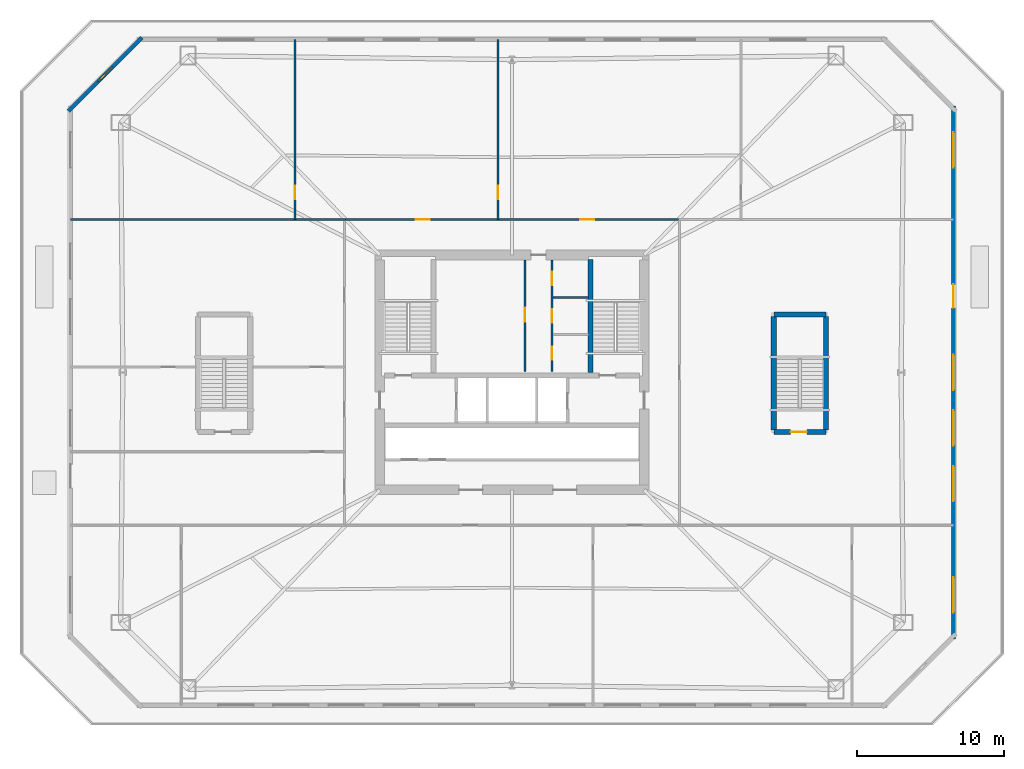
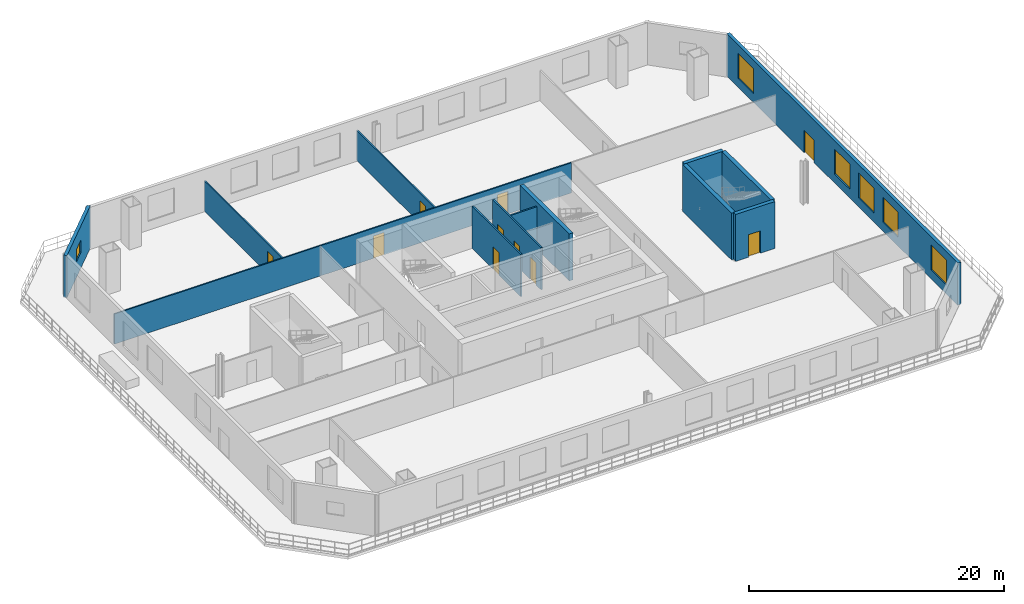
# One storey, part 4 of 8: 14 walls, 10 doors, 6 windows, 16 openings.
"""IFC4 building model written with IfcOpenShell, lengths in metres."""

import ifcopenshell
import ifcopenshell.guid

model = None  # the IFC model being written
_history = None  # IfcOwnerHistory: only IFC2X3 demands one
_inside = {}  # id of a spatial element -> (the spatial element, [elements in it])
_under = {}  # id of a project, library or spatial element -> (it, [spatial elements below it])
_declared = {}  # id of a project -> (the project, [libraries it declares])
_typed = {}  # id of a type object -> (the type object, [elements of that type])
_made_of = {}  # id of a material, layer set ... -> (it, [elements and type objects made of it])


def new_model(schema):
    """Start an empty IFC model of exactly this schema.

    Asked for "IFC4X3", IfcOpenShell would pick the latest addendum, in which some entities
    have other attributes; the version numbers below select the first issue.
    IFC2X3 requires an IfcOwnerHistory on every rooted entity: one is made here for all.
    """
    global model, _history
    if schema == "IFC4X3":
        model = ifcopenshell.file(schema_version=(4, 3, 0, 0))
    else:
        model = ifcopenshell.file(schema=schema)
    _inside.clear()
    _under.clear()
    _declared.clear()
    _typed.clear()
    _made_of.clear()
    _history = None
    if model.schema == "IFC2X3":
        org = make("IfcOrganization", Name="unknown")
        user = make(
            "IfcPersonAndOrganization",
            ThePerson=make("IfcPerson", FamilyName="unknown"),
            TheOrganization=org,
        )
        app = make(
            "IfcApplication",
            ApplicationDeveloper=org,
            Version="unknown",
            ApplicationFullName="unknown",
            ApplicationIdentifier="unknown",
        )
        _history = make(
            "IfcOwnerHistory",
            OwningUser=user,
            OwningApplication=app,
            ChangeAction="ADDED",
            CreationDate=0,
        )
    return model


def make(cls, **values):
    """One entity of the class cls with the attributes given. An attribute that is None is left unset."""
    return model.create_entity(
        cls, **{name: value for name, value in values.items() if value is not None}
    )


def rooted(cls, **values):
    """An entity with a GlobalId (a new one), such as an element, a storey or a relation."""
    return make(cls, GlobalId=ifcopenshell.guid.new(), OwnerHistory=_history, **values)


def si_unit(unit_type, name, prefix=None):
    """IfcSIUnit, for example si_unit("LENGTHUNIT", "METRE", prefix="MILLI")."""
    return make("IfcSIUnit", UnitType=unit_type, Prefix=prefix, Name=name)


def assignment(units):
    """IfcUnitAssignment: the units of a project."""
    return None if units is None else make("IfcUnitAssignment", Units=units)


def point(xyz):
    """IfcCartesianPoint."""
    return None if xyz is None else make("IfcCartesianPoint", Coordinates=xyz)


def direction(xyz):
    """IfcDirection."""
    return None if xyz is None else make("IfcDirection", DirectionRatios=xyz)


def frame(location, z_axis=None, x_axis=None):
    """IfcAxis2Placement3D, a coordinate frame: its origin and axes. An axis left out is left unset."""
    return make(
        "IfcAxis2Placement3D",
        Location=point(location),
        Axis=direction(z_axis),
        RefDirection=direction(x_axis),
    )


def frame_2d(location, x_axis=None):
    """IfcAxis2Placement2D, a coordinate frame in the plane: its origin and x axis."""
    return make(
        "IfcAxis2Placement2D", Location=point(location), RefDirection=direction(x_axis)
    )


def origin():
    """The frame at (0, 0, 0) with its axes left unset."""
    return frame((0.0, 0.0, 0.0))


def place(relative_to, where):
    """IfcLocalPlacement: puts the frame where relative to a parent placement (None: the world)."""
    return make(
        "IfcLocalPlacement", PlacementRelTo=relative_to, RelativePlacement=where
    )


def context(
    kind, dimensions, precision=None, world=None, true_north=None, identifier=None
):
    """IfcGeometricRepresentationContext, for example the 3D "Model" context."""
    return make(
        "IfcGeometricRepresentationContext",
        ContextIdentifier=identifier,
        ContextType=kind,
        CoordinateSpaceDimension=dimensions,
        Precision=precision,
        WorldCoordinateSystem=world,
        TrueNorth=true_north,
    )


def subcontext(parent, identifier, kind, view, scale=None):
    """IfcGeometricRepresentationSubContext, for example "Body" below "Model"."""
    return make(
        "IfcGeometricRepresentationSubContext",
        ContextIdentifier=identifier,
        ContextType=kind,
        ParentContext=parent,
        TargetScale=scale,
        TargetView=view,
    )


def project(units=None, contexts=None):
    """IfcProject with its units and contexts."""
    return rooted(
        "IfcProject",
        Name="project",
        RepresentationContexts=contexts,
        UnitsInContext=assignment(units),
    )


def spatial(cls, under=None, at=None, **own):
    """A site, building, storey or space (cls), placed at a placement, below another one or the project."""
    s = rooted(cls, ObjectPlacement=at, **own)
    if under is not None:
        _under.setdefault(under.id(), (under, []))[1].append(s)
    return s


def profile(cls, at=None, kind="AREA", **sizes):
    """A parametric profile (cls). Its sizes go by their IFC names, for example OverallWidth=200.0."""
    return make(cls, ProfileType=kind, Position=at, **sizes)


def rectangle(**sizes):
    """IfcRectangleProfileDef."""
    return profile("IfcRectangleProfileDef", **sizes)


def extrude(swept, where, along, depth):
    """IfcExtrudedAreaSolid: the profile swept, set in the frame where, extruded along a direction by depth."""
    return make(
        "IfcExtrudedAreaSolid",
        SweptArea=swept,
        Position=where,
        ExtrudedDirection=direction(along),
        Depth=depth,
    )


def shape(context_of_items, identifier, shape_type, items):
    """IfcShapeRepresentation: the items that make up one representation, for example the "Body"."""
    return make(
        "IfcShapeRepresentation",
        ContextOfItems=context_of_items,
        RepresentationIdentifier=identifier,
        RepresentationType=shape_type,
        Items=items,
    )


def material(Name=None, Category=None):
    """IfcMaterial."""
    return make("IfcMaterial", Name=Name, Category=Category)


def layer(
    of_material, thickness, ventilated=None, Name=None, Category=None, Priority=None
):
    """IfcMaterialLayer: one layer of a wall or slab, of a material (None: an air gap)."""
    return make(
        "IfcMaterialLayer",
        Material=of_material,
        LayerThickness=thickness,
        IsVentilated=ventilated,
        Name=Name,
        Category=Category,
        Priority=Priority,
    )


def layer_set(layers, Name=None):
    """IfcMaterialLayerSet."""
    return make("IfcMaterialLayerSet", MaterialLayers=layers, LayerSetName=Name)


def made_of(thing, what):
    """Note that an element or type object is made of a material, layer set ...; save() writes the relation."""
    if what is not None:
        _made_of.setdefault(what.id(), (what, []))[1].append(thing)
    return thing


def type_object(cls, material=None, **own):
    """A type object (cls), such as IfcWallType, which elements share."""
    return made_of(rooted(cls, **own), material)


def element(
    cls,
    number,
    at=None,
    inside=None,
    cuts=None,
    type_object=None,
    material=None,
    context=None,
    identifier="Body",
    shape_type=None,
    held_by="IfcProductDefinitionShape",
    body=None,
    shapes=None,
    **own,
):
    """One element of the class cls, such as IfcWall. Its Tag is "e" and its number.

    at: its placement. inside: the storey or other place that contains it. cuts: it is an
    opening in that element (IfcRelVoidsElement). A single representation is given by context,
    identifier, shape_type and body (its items); several are given by shapes. held_by: the class
    of the entity that holds the representations. save() writes the other relations.
    """
    e = rooted(cls, Tag="e%d" % number, ObjectPlacement=at, **own)
    if body is not None:
        shapes = [shape(context, identifier, shape_type, body)]
    if shapes is not None:
        e.Representation = make(held_by, Representations=shapes)
    if inside is not None:
        _inside.setdefault(inside.id(), (inside, []))[1].append(e)
    if cuts is not None:
        rooted(
            "IfcRelVoidsElement", RelatingBuildingElement=cuts, RelatedOpeningElement=e
        )
    if type_object is not None:
        _typed.setdefault(type_object.id(), (type_object, []))[1].append(e)
    return made_of(e, material)


def fill(opening, filler):
    """IfcRelFillsElement: the door or window that sits in an opening."""
    return rooted(
        "IfcRelFillsElement",
        RelatingOpeningElement=opening,
        RelatedBuildingElement=filler,
    )


def aggregate(whole, parts):
    """IfcRelAggregates: a whole, such as a stair, and the parts it consists of."""
    return rooted("IfcRelAggregates", RelatingObject=whole, RelatedObjects=parts)


def save(model, path):
    """Write the relations noted so far, then the file.

    IfcRelAggregates (storeys below a building ...), IfcRelContainedInSpatialStructure (elements
    in a storey), IfcRelDefinesByType, IfcRelAssociatesMaterial and IfcRelDeclares: one each for
    every whole, place, type object, material and project.
    """
    for whole, parts in _under.values():
        aggregate(whole, parts)
    for where, things in _inside.values():
        rooted(
            "IfcRelContainedInSpatialStructure",
            RelatedElements=things,
            RelatingStructure=where,
        )
    for kind, things in _typed.values():
        rooted("IfcRelDefinesByType", RelatedObjects=things, RelatingType=kind)
    for what, things in _made_of.values():
        rooted("IfcRelAssociatesMaterial", RelatedObjects=things, RelatingMaterial=what)
    for by, libraries in _declared.values():
        rooted("IfcRelDeclares", RelatingContext=by, RelatedDefinitions=libraries)
    model.write(path)


model = new_model("IFC4")

# Units and contexts
model_context = context("Model", 3, precision=1e-05, world=origin(), true_north=direction((0.0, 1.0)))
body_context = subcontext(model_context, "Body", "Model", "MODEL_VIEW")
ifc_project = project(units=[si_unit("LENGTHUNIT", "METRE"), si_unit("AREAUNIT", "SQUARE_METRE"), si_unit("VOLUMEUNIT", "CUBIC_METRE"), si_unit("PLANEANGLEUNIT", "RADIAN"), si_unit("MASSUNIT", "GRAM", prefix="KILO")], contexts=[model_context])

# Site, building, storey
site_placement = place(None, origin())
site = spatial("IfcSite", under=ifc_project, at=site_placement, CompositionType="ELEMENT")
building_placement = place(site_placement, origin())
building = spatial("IfcBuilding", under=site, at=building_placement, Name="Caelvoria Tower", CompositionType="ELEMENT")
storey_placement = place(building_placement, frame((0.0, 0.0, 18.5)))
storey = spatial("IfcBuildingStorey", under=building, at=storey_placement, Name="L04", CompositionType="ELEMENT", Elevation=18.5)

# Wall
ifc_material_1 = material(Name="Concrete C50/60", Category="concrete")
ifc_layer_1 = layer(ifc_material_1, 0.35009765625, Name="Concrete C50/60")
ifc_layer_set_1 = layer_set([ifc_layer_1], Name="Core Internal Shear Wall 350 - Concrete C50/60")
wall_type_1 = type_object("IfcWallType", Name="Core Internal Shear Wall 350", PredefinedType="SHEAR", material=ifc_layer_set_1)
wall_1_placement = place(storey_placement, frame((51.35009765625, 32.0, 0.0), z_axis=(0.0, 0.0, 1.0), x_axis=(0.0, 1.0, 0.0)))
element("IfcWall", 1, at=wall_1_placement, inside=storey, type_object=wall_type_1, Name="Interior Partition IW-L04-ST2W", PredefinedType="SHEAR", context=body_context, shape_type="SweptSolid", body=[
    extrude(rectangle(XDim=7.699951171875, YDim=0.35009765625, at=frame_2d((3.85009765625, 0.0))), origin(), (0.0, 0.0, 1.0), 4.5),
])

# Wall, opening, door
wall_2_placement = place(storey_placement, frame((63.824951171875, 27.949951171875, 0.0), z_axis=(0.0, 0.0, 1.0), x_axis=(1.0, 0.0, 0.0)))
wall_2 = element("IfcWall", 2, at=wall_2_placement, inside=storey, type_object=wall_type_1, Name="Podium Stair Shear Wall L04 ST4 S", PredefinedType="SHEAR", context=body_context, shape_type="SweptSolid", body=[
    extrude(rectangle(XDim=3.550048828125, YDim=0.35009765625, at=frame_2d((1.77490234375, 0.0))), origin(), (0.0, 0.0, 1.0), 4.5),
])
opening_1_placement = place(wall_2_placement, frame((1.14990234375, 0.0, 0.0)))
opening_1 = element("IfcOpeningElement", 3, at=opening_1_placement, cuts=wall_2, Name="Opening ID-01", PredefinedType="OPENING", context=body_context, shape_type="SweptSolid", body=[
    extrude(rectangle(XDim=1.10009765625, YDim=2.14990234375, at=frame_2d((0.550048828125, 1.074951171875))), frame((0.0, 0.18505859375, 0.0), z_axis=(0.0, -1.0, 0.0), x_axis=(1.0, 0.0, 0.0)), (0.0, 0.0, 1.0), 0.3701171875),
])
ifc_material_2 = material(Name="Painted Hollow Steel Fire Door", Category="steel")
door_type_1 = type_object("IfcDoorType", Name="Fire Door FD90S 1100x2150", OperationType="NOTDEFINED", PredefinedType="DOOR", material=ifc_material_2)
door_1_placement = place(opening_1_placement, origin())
door_1 = element("IfcDoor", 4, at=door_1_placement, inside=storey, type_object=door_type_1, Name="Podium Stair Door L04 ST4", OperationType="SINGLE_SWING_RIGHT", OverallHeight=2.14990234375, OverallWidth=1.10009765625, PredefinedType="DOOR", context=body_context, shape_type="SweptSolid", body=[
    extrude(rectangle(XDim=1.10009765625, YDim=2.14990234375, at=frame_2d((0.550048828125, 1.074951171875))), frame((0.0, 0.02490234375, 0.0), z_axis=(0.0, -1.0, 0.0), x_axis=(1.0, 0.0, 0.0)), (0.0, 0.0, 1.0), 0.050048828125),
])
fill(opening_1, door_1)

# Walls
wall_3_placement = place(storey_placement, frame((63.824951171875, 35.949951171875, 0.0), z_axis=(0.0, 0.0, 1.0), x_axis=(1.0, 0.0, 0.0)))
element("IfcWall", 5, at=wall_3_placement, inside=storey, type_object=wall_type_1, Name="Podium Stair Shear Wall L04 ST4 N", PredefinedType="SHEAR", context=body_context, shape_type="SweptSolid", body=[
    extrude(rectangle(XDim=3.550048828125, YDim=0.35009765625, at=frame_2d((1.77490234375, 0.0))), origin(), (0.0, 0.0, 1.0), 4.5),
])
for number, where, z_axis, x_axis, name in (
    (6, (63.824951171875, 28.10009765625, 0.0), (0.0, 0.0, 1.0), (0.0, 1.0, 0.0), "Podium Stair Shear Wall L04 ST4 W"),
    (7, (67.375, 28.10009765625, 0.0), (0.0, 0.0, 1.0), (0.0, 1.0, 0.0), "Podium Stair Shear Wall L04 ST4 E"),
):
    element("IfcWall", number, at=place(storey_placement, frame(where, z_axis=z_axis, x_axis=x_axis)), inside=storey, type_object=wall_type_1, Name=name, PredefinedType="SHEAR", context=body_context, shape_type="SweptSolid", body=[
        extrude(rectangle(XDim=7.699951171875, YDim=0.35009765625, at=frame_2d((3.85009765625, 0.0))), origin(), (0.0, 0.0, 1.0), 4.5),
    ])

# Wall, opening, door
ifc_material_3 = material(Name="Moisture-Resistant Gypsum on Steel Stud", Category="steel")
ifc_layer_2 = layer(ifc_material_3, 0.139892578125, Name="Moisture-Resistant Gypsum on Steel Stud")
ifc_layer_set_2 = layer_set([ifc_layer_2], Name="Core Sanitary Acoustic Partition Wall 140 - Moisture-Resistant Gypsum on Steel Stud")
wall_type_2 = type_object("IfcWallType", Name="Core Sanitary Acoustic Partition Wall 140", PredefinedType="PARTITIONING", material=ifc_layer_set_2)
wall_4_placement = place(storey_placement, frame((46.8798828125, 32.050048828125, 0.0), z_axis=(0.0, 0.0, 1.0), x_axis=(0.0, 1.0, 0.0)))
wall_4 = element("IfcWall", 8, at=wall_4_placement, inside=storey, type_object=wall_type_2, Name="Interior Partition IW-L04-C2L", PredefinedType="PARTITIONING", context=body_context, shape_type="SweptSolid", body=[
    extrude(rectangle(XDim=7.599853515625, YDim=0.139892578125, at=frame_2d((3.7998046875, 0.0))), origin(), (0.0, 0.0, 1.0), 4.050048828125),
])
opening_2_placement = place(wall_4_placement, frame((3.39990234375, 0.0, 0.0)))
opening_2 = element("IfcOpeningElement", 9, at=opening_2_placement, cuts=wall_4, Name="Opening ID-05", PredefinedType="OPENING", context=body_context, shape_type="SweptSolid", body=[
    extrude(rectangle(XDim=0.949951171875, YDim=2.14990234375, at=frame_2d((0.47509765625, 1.074951171875))), frame((0.0, 0.079833984375, 0.0), z_axis=(0.0, -1.0, 0.0), x_axis=(1.0, 0.0, 0.0)), (0.0, 0.0, 1.0), 0.159912109375),
])
ifc_material_4 = material(Name="Engineered Andean Oak Veneer Door", Category="wood")
door_type_2 = type_object("IfcDoorType", Name="Interior Timber Door 950x2150", OperationType="NOTDEFINED", PredefinedType="DOOR", material=ifc_material_4)
door_2_placement = place(opening_2_placement, origin())
door_2 = element("IfcDoor", 10, at=door_2_placement, inside=storey, type_object=door_type_2, Name="Interior Door DR-L04-C2W", OperationType="SINGLE_SWING_LEFT", OverallHeight=2.14990234375, OverallWidth=0.949951171875, PredefinedType="DOOR", context=body_context, shape_type="SweptSolid", body=[
    extrude(rectangle(XDim=0.949951171875, YDim=2.14990234375, at=frame_2d((0.47509765625, 1.074951171875))), frame((0.0, 0.02490234375, 0.0), z_axis=(0.0, -1.0, 0.0), x_axis=(1.0, 0.0, 0.0)), (0.0, 0.0, 1.0), 0.050048828125),
])
fill(opening_2, door_2)

# Wall, openings, doors
wall_5_placement = place(storey_placement, frame((48.719970703125, 32.050048828125, 0.0), z_axis=(0.0, 0.0, 1.0), x_axis=(0.0, 1.0, 0.0)))
wall_5 = element("IfcWall", 11, at=wall_5_placement, inside=storey, type_object=wall_type_2, Name="Interior Partition IW-L04-C2R", PredefinedType="PARTITIONING", context=body_context, shape_type="SweptSolid", body=[
    extrude(rectangle(XDim=7.599853515625, YDim=0.139892578125, at=frame_2d((3.7998046875, 0.0))), origin(), (0.0, 0.0, 1.0), 4.050048828125),
])
opening_3_placement = place(wall_5_placement, frame((0.800048828125, 0.0, 0.0)))
opening_3 = element("IfcOpeningElement", 12, at=opening_3_placement, cuts=wall_5, Name="Opening ID-04", PredefinedType="OPENING", context=body_context, shape_type="SweptSolid", body=[
    extrude(rectangle(XDim=0.89990234375, YDim=2.14990234375, at=frame_2d((0.449951171875, 1.074951171875))), frame((0.0, 0.079833984375, 0.0), z_axis=(0.0, -1.0, 0.0), x_axis=(1.0, 0.0, 0.0)), (0.0, 0.0, 1.0), 0.159912109375),
])
opening_4_placement = place(wall_5_placement, frame((3.35009765625, 0.0, 0.0)))
opening_4 = element("IfcOpeningElement", 13, at=opening_4_placement, cuts=wall_5, Name="Opening ID-06", PredefinedType="OPENING", context=body_context, shape_type="SweptSolid", body=[
    extrude(rectangle(XDim=0.89990234375, YDim=2.14990234375, at=frame_2d((0.449951171875, 1.074951171875))), frame((0.0, 0.079833984375, 0.0), z_axis=(0.0, -1.0, 0.0), x_axis=(1.0, 0.0, 0.0)), (0.0, 0.0, 1.0), 0.159912109375),
])
opening_5_placement = place(wall_5_placement, frame((5.89990234375, 0.0, 0.0)))
opening_5 = element("IfcOpeningElement", 14, at=opening_5_placement, cuts=wall_5, Name="Opening ID-07", PredefinedType="OPENING", context=body_context, shape_type="SweptSolid", body=[
    extrude(rectangle(XDim=0.919921875, YDim=2.14990234375, at=frame_2d((0.4599609375, 1.074951171875))), frame((0.0, 0.079833984375, 0.0), z_axis=(0.0, -1.0, 0.0), x_axis=(1.0, 0.0, 0.0)), (0.0, 0.0, 1.0), 0.159912109375),
])
ifc_material_5 = material(Name="Engineered Andean Oak Accessible Door", Category="wood")
door_type_3 = type_object("IfcDoorType", Name="Accessible WC Door 950x2150", OperationType="NOTDEFINED", PredefinedType="DOOR", material=ifc_material_5)
door_3_placement = place(opening_5_placement, origin())
door_3 = element("IfcDoor", 15, at=door_3_placement, inside=storey, type_object=door_type_3, Name="Interior Door DR-L04-C2E3", OperationType="SINGLE_SWING_RIGHT", OverallHeight=2.14990234375, OverallWidth=0.919921875, PredefinedType="DOOR", context=body_context, shape_type="SweptSolid", body=[
    extrude(rectangle(XDim=0.919921875, YDim=2.14990234375, at=frame_2d((0.4599609375, 1.074951171875))), frame((0.0, 0.02490234375, 0.0), z_axis=(0.0, -1.0, 0.0), x_axis=(1.0, 0.0, 0.0)), (0.0, 0.0, 1.0), 0.050048828125),
])
fill(opening_5, door_3)
ifc_material_6 = material(Name="Acoustic Timber Fire Door", Category="wood")
door_type_4 = type_object("IfcDoorType", Name="Fire Door FD30S 900x2150", OperationType="NOTDEFINED", PredefinedType="DOOR", material=ifc_material_6)
door_4_placement = place(opening_3_placement, origin())
door_4 = element("IfcDoor", 16, at=door_4_placement, inside=storey, type_object=door_type_4, Name="Interior Door DR-L04-C2E1", OperationType="SINGLE_SWING_RIGHT", OverallHeight=2.14990234375, OverallWidth=0.89990234375, PredefinedType="DOOR", context=body_context, shape_type="SweptSolid", body=[
    extrude(rectangle(XDim=0.89990234375, YDim=2.14990234375, at=frame_2d((0.449951171875, 1.074951171875))), frame((0.0, 0.02490234375, 0.0), z_axis=(0.0, -1.0, 0.0), x_axis=(1.0, 0.0, 0.0)), (0.0, 0.0, 1.0), 0.050048828125),
])
fill(opening_3, door_4)
door_type_5 = type_object("IfcDoorType", Name="Interior Timber Door 900x2150", OperationType="NOTDEFINED", PredefinedType="DOOR", material=ifc_material_4)
door_5_placement = place(opening_4_placement, origin())
door_5 = element("IfcDoor", 17, at=door_5_placement, inside=storey, type_object=door_type_5, Name="Interior Door DR-L04-C2E2", OperationType="SINGLE_SWING_LEFT", OverallHeight=2.14990234375, OverallWidth=0.89990234375, PredefinedType="DOOR", context=body_context, shape_type="SweptSolid", body=[
    extrude(rectangle(XDim=0.89990234375, YDim=2.14990234375, at=frame_2d((0.449951171875, 1.074951171875))), frame((0.0, 0.02490234375, 0.0), z_axis=(0.0, -1.0, 0.0), x_axis=(1.0, 0.0, 0.0)), (0.0, 0.0, 1.0), 0.050048828125),
])
fill(opening_4, door_5)

# Wall
wall_6_placement = place(storey_placement, frame((48.800048828125, 37.1201171875, 0.0), z_axis=(0.0, 0.0, 1.0), x_axis=(1.0, 0.0, 0.0)))
element("IfcWall", 18, at=wall_6_placement, inside=storey, type_object=wall_type_2, Name="Interior Partition IW-L04-C2H2", PredefinedType="PARTITIONING", context=body_context, shape_type="SweptSolid", body=[
    extrude(rectangle(XDim=2.39990234375, YDim=0.139892578125, at=frame_2d((1.199951171875, 0.0))), origin(), (0.0, 0.0, 1.0), 4.050048828125),
])

# Wall, openings, windows, door
ifc_material_7 = material(Name="Precast Concrete C40/50 with Bronze Cladding", Category="concrete")
ifc_layer_3 = layer(ifc_material_7, 0.280029296875, Name="Precast Concrete C40/50 with Bronze Cladding")
ifc_layer_set_3 = layer_set([ifc_layer_3], Name="Exterior Precast Concrete C40/50 Bronze-Clad Facade Wall 280 - Precast Concrete C40/50 with Bronze Cladding")
wall_type_3 = type_object("IfcWallType", Name="Exterior Precast Concrete C40/50 Bronze-Clad Facade Wall 280", PredefinedType="STANDARD", material=ifc_layer_set_3)
wall_7_placement = place(storey_placement, frame((76.06005859375, 13.860107421875, 0.0), z_axis=(0.0, 0.0, 1.0), x_axis=(0.0, 1.0, 0.0)))
wall_7 = element("IfcWall", 19, at=wall_7_placement, inside=storey, type_object=wall_type_3, Name="Exterior Facade Wall L04-E2", PredefinedType="STANDARD", context=body_context, shape_type="SweptSolid", body=[
    extrude(rectangle(XDim=36.27978515625, YDim=0.280029296875, at=frame_2d((18.139892578125, 0.0))), origin(), (0.0, 0.0, 1.0), 4.050048828125),
])
opening_6_placement = place(wall_7_placement, frame((22.5400390625, 0.0, 0.0)))
opening_6 = element("IfcOpeningElement", 20, at=opening_6_placement, cuts=wall_7, Name="Opening ED-03", PredefinedType="OPENING", context=body_context, shape_type="SweptSolid", body=[
    extrude(rectangle(XDim=1.60009765625, YDim=2.14990234375, at=frame_2d((0.800048828125, 1.074951171875))), frame((0.0, 0.14990234375, 0.0), z_axis=(0.0, -1.0, 0.0), x_axis=(1.0, 0.0, 0.0)), (0.0, 0.0, 1.0), 0.300048828125),
])
opening_7_placement = place(wall_7_placement, frame((1.793212890625, 0.0, 0.85009765625)))
opening_7 = element("IfcOpeningElement", 21, at=opening_7_placement, cuts=wall_7, Name="Opening WN-04", PredefinedType="OPENING", context=body_context, shape_type="SweptSolid", body=[
    extrude(rectangle(XDim=2.39990234375, YDim=2.39990234375, at=frame_2d((1.199951171875, 1.199951171875))), frame((0.0, 0.14990234375, 0.0), z_axis=(0.0, -1.0, 0.0), x_axis=(1.0, 0.0, 0.0)), (0.0, 0.0, 1.0), 0.300048828125),
])
opening_8_placement = place(wall_7_placement, frame((9.36669921875, 0.0, 0.85009765625)))
opening_8 = element("IfcOpeningElement", 22, at=opening_8_placement, cuts=wall_7, Name="Opening WN-04", PredefinedType="OPENING", context=body_context, shape_type="SweptSolid", body=[
    extrude(rectangle(XDim=2.39990234375, YDim=2.39990234375, at=frame_2d((1.199951171875, 1.199951171875))), frame((0.0, 0.14990234375, 0.0), z_axis=(0.0, -1.0, 0.0), x_axis=(1.0, 0.0, 0.0)), (0.0, 0.0, 1.0), 0.300048828125),
])
opening_9_placement = place(wall_7_placement, frame((13.1533203125, 0.0, 0.85009765625)))
opening_9 = element("IfcOpeningElement", 23, at=opening_9_placement, cuts=wall_7, Name="Opening WN-04", PredefinedType="OPENING", context=body_context, shape_type="SweptSolid", body=[
    extrude(rectangle(XDim=2.39990234375, YDim=2.39990234375, at=frame_2d((1.199951171875, 1.199951171875))), frame((0.0, 0.14990234375, 0.0), z_axis=(0.0, -1.0, 0.0), x_axis=(1.0, 0.0, 0.0)), (0.0, 0.0, 1.0), 0.300048828125),
])
opening_10_placement = place(wall_7_placement, frame((16.93994140625, 0.0, 0.85009765625)))
opening_10 = element("IfcOpeningElement", 24, at=opening_10_placement, cuts=wall_7, Name="Opening WN-04", PredefinedType="OPENING", context=body_context, shape_type="SweptSolid", body=[
    extrude(rectangle(XDim=2.39990234375, YDim=2.39990234375, at=frame_2d((1.199951171875, 1.199951171875))), frame((0.0, 0.14990234375, 0.0), z_axis=(0.0, -1.0, 0.0), x_axis=(1.0, 0.0, 0.0)), (0.0, 0.0, 1.0), 0.300048828125),
])
opening_11_placement = place(wall_7_placement, frame((32.086669921875, 0.0, 0.85009765625)))
opening_11 = element("IfcOpeningElement", 25, at=opening_11_placement, cuts=wall_7, Name="Opening WN-04", PredefinedType="OPENING", context=body_context, shape_type="SweptSolid", body=[
    extrude(rectangle(XDim=2.39990234375, YDim=2.39990234375, at=frame_2d((1.199951171875, 1.199951171875))), frame((0.0, 0.14990234375, 0.0), z_axis=(0.0, -1.0, 0.0), x_axis=(1.0, 0.0, 0.0)), (0.0, 0.0, 1.0), 0.300048828125),
])
ifc_material_8 = material(Name="Low-E Tinted Glass in Bronze Aluminium Frame", Category="aluminium")
window_type_1 = type_object("IfcWindowType", Name="Podium Commercial Ribbon Window 2400x2400", PartitioningType="SINGLE_PANEL", PredefinedType="WINDOW", material=ifc_material_8)
window_1_placement = place(opening_7_placement, origin())
window_1 = element("IfcWindow", 26, at=window_1_placement, inside=storey, type_object=window_type_1, Name="Facade Window L04-E2-00", OverallHeight=2.39990234375, OverallWidth=2.39990234375, PartitioningType="SINGLE_PANEL", PredefinedType="WINDOW", context=body_context, shape_type="SweptSolid", body=[
    extrude(rectangle(XDim=2.39990234375, YDim=2.39990234375, at=frame_2d((1.199951171875, 1.199951171875))), frame((0.0, 0.030029296875, 0.0), z_axis=(0.0, -1.0, 0.0), x_axis=(1.0, 0.0, 0.0)), (0.0, 0.0, 1.0), 0.06005859375),
])
fill(opening_7, window_1)
window_2_placement = place(opening_8_placement, origin())
window_2 = element("IfcWindow", 27, at=window_2_placement, inside=storey, type_object=window_type_1, Name="Facade Window L04-E2-02", OverallHeight=2.39990234375, OverallWidth=2.39990234375, PartitioningType="SINGLE_PANEL", PredefinedType="WINDOW", context=body_context, shape_type="SweptSolid", body=[
    extrude(rectangle(XDim=2.39990234375, YDim=2.39990234375, at=frame_2d((1.199951171875, 1.199951171875))), frame((0.0, 0.030029296875, 0.0), z_axis=(0.0, -1.0, 0.0), x_axis=(1.0, 0.0, 0.0)), (0.0, 0.0, 1.0), 0.06005859375),
])
fill(opening_8, window_2)
window_3_placement = place(opening_9_placement, origin())
window_3 = element("IfcWindow", 28, at=window_3_placement, inside=storey, type_object=window_type_1, Name="Facade Window L04-E2-03", OverallHeight=2.39990234375, OverallWidth=2.39990234375, PartitioningType="SINGLE_PANEL", PredefinedType="WINDOW", context=body_context, shape_type="SweptSolid", body=[
    extrude(rectangle(XDim=2.39990234375, YDim=2.39990234375, at=frame_2d((1.199951171875, 1.199951171875))), frame((0.0, 0.030029296875, 0.0), z_axis=(0.0, -1.0, 0.0), x_axis=(1.0, 0.0, 0.0)), (0.0, 0.0, 1.0), 0.06005859375),
])
fill(opening_9, window_3)
window_4_placement = place(opening_10_placement, origin())
window_4 = element("IfcWindow", 29, at=window_4_placement, inside=storey, type_object=window_type_1, Name="Facade Window L04-E2-04", OverallHeight=2.39990234375, OverallWidth=2.39990234375, PartitioningType="SINGLE_PANEL", PredefinedType="WINDOW", context=body_context, shape_type="SweptSolid", body=[
    extrude(rectangle(XDim=2.39990234375, YDim=2.39990234375, at=frame_2d((1.199951171875, 1.199951171875))), frame((0.0, 0.030029296875, 0.0), z_axis=(0.0, -1.0, 0.0), x_axis=(1.0, 0.0, 0.0)), (0.0, 0.0, 1.0), 0.06005859375),
])
fill(opening_10, window_4)
window_5_placement = place(opening_11_placement, origin())
window_5 = element("IfcWindow", 30, at=window_5_placement, inside=storey, type_object=window_type_1, Name="Facade Window L04-E2-08", OverallHeight=2.39990234375, OverallWidth=2.39990234375, PartitioningType="SINGLE_PANEL", PredefinedType="WINDOW", context=body_context, shape_type="SweptSolid", body=[
    extrude(rectangle(XDim=2.39990234375, YDim=2.39990234375, at=frame_2d((1.199951171875, 1.199951171875))), frame((0.0, 0.030029296875, 0.0), z_axis=(0.0, -1.0, 0.0), x_axis=(1.0, 0.0, 0.0)), (0.0, 0.0, 1.0), 0.06005859375),
])
fill(opening_11, window_5)
ifc_material_9 = material(Name="Anodised Bronze Aluminium and Laminated Glass", Category="aluminium")
door_type_6 = type_object("IfcDoorType", Name="Terrace Garden Double Glazed Door 1600x2150", OperationType="NOTDEFINED", PredefinedType="DOOR", material=ifc_material_9)
door_6_placement = place(opening_6_placement, origin())
door_6 = element("IfcDoor", 31, at=door_6_placement, inside=storey, type_object=door_type_6, Name="Terrace Roof Garden Door L04-E", OperationType="DOUBLE_DOOR_SINGLE_SWING", OverallHeight=2.14990234375, OverallWidth=1.60009765625, PredefinedType="DOOR", context=body_context, shape_type="SweptSolid", body=[
    extrude(rectangle(XDim=1.60009765625, YDim=2.14990234375, at=frame_2d((0.800048828125, 1.074951171875))), frame((0.0, 0.02490234375, 0.0), z_axis=(0.0, -1.0, 0.0), x_axis=(1.0, 0.0, 0.0)), (0.0, 0.0, 1.0), 0.050048828125),
])
fill(opening_6, door_6)

# Wall, opening, window
wall_8_placement = place(storey_placement, frame((20.798095703125, 54.800048828125, 0.0), z_axis=(0.0, 0.0, 1.0), x_axis=(-0.707106781187, -0.707106781187, 0.0)))
wall_8 = element("IfcWall", 32, at=wall_8_placement, inside=storey, type_object=wall_type_3, Name="Exterior Facade Wall L04-E5", PredefinedType="STANDARD", context=body_context, shape_type="SweptSolid", body=[
    extrude(rectangle(XDim=7.068359375, YDim=0.280029296875, at=frame_2d((3.5341796875, 0.0))), origin(), (0.0, 0.0, 1.0), 4.050048828125),
])
opening_12_placement = place(wall_8_placement, frame((2.833984375, 0.0, 1.5)))
opening_12 = element("IfcOpeningElement", 33, at=opening_12_placement, cuts=wall_8, Name="Opening WN-06", PredefinedType="OPENING", context=body_context, shape_type="SweptSolid", body=[
    extrude(rectangle(XDim=1.39990234375, YDim=1.199951171875, at=frame_2d((0.699951171875, 0.60009765625))), frame((0.0, 0.14990234375, 0.0), z_axis=(0.0, -1.0, 0.0), x_axis=(1.0, 0.0, 0.0)), (0.0, 0.0, 1.0), 0.300048828125),
])
window_type_2 = type_object("IfcWindowType", Name="Podium Clerestory Window 1400x1200", PartitioningType="SINGLE_PANEL", PredefinedType="WINDOW", material=ifc_material_8)
window_6_placement = place(opening_12_placement, origin())
window_6 = element("IfcWindow", 34, at=window_6_placement, inside=storey, type_object=window_type_2, Name="Facade Window L04-E5-00", OverallHeight=1.199951171875, OverallWidth=1.39990234375, PartitioningType="SINGLE_PANEL", PredefinedType="WINDOW", context=body_context, shape_type="SweptSolid", body=[
    extrude(rectangle(XDim=1.39990234375, YDim=1.199951171875, at=frame_2d((0.699951171875, 0.60009765625))), frame((0.0, 0.030029296875, 0.0), z_axis=(0.0, -1.0, 0.0), x_axis=(1.0, 0.0, 0.0)), (0.0, 0.0, 1.0), 0.06005859375),
])
fill(opening_12, window_6)

# Wall, opening, door
ifc_material_10 = material(Name="Acoustic Gypsum Board on Light-Gauge Stud", Category="gypsum")
ifc_layer_4 = layer(ifc_material_10, 0.1201171875, Name="Acoustic Gypsum Board on Light-Gauge Stud")
ifc_layer_set_4 = layer_set([ifc_layer_4], Name="Tenant Suite Acoustic Partition Wall 120 - Acoustic Gypsum Board on Light-Gauge Stud")
wall_type_4 = type_object("IfcWallType", Name="Tenant Suite Acoustic Partition Wall 120", PredefinedType="PARTITIONING", material=ifc_layer_set_4)
wall_9_placement = place(storey_placement, frame((31.231689453125, 42.409912109375, 0.0), z_axis=(0.0, 0.0, 1.0), x_axis=(0.0, 1.0, 0.0)))
wall_9 = element("IfcWall", 35, at=wall_9_placement, inside=storey, type_object=wall_type_4, Name="Interior Partition IW-L04-ND-00-0", PredefinedType="PARTITIONING", context=body_context, shape_type="SweptSolid", body=[
    extrude(rectangle(XDim=12.25, YDim=0.1201171875, at=frame_2d((6.125, 0.0))), origin(), (0.0, 0.0, 1.0), 2.889892578125),
])
opening_13_placement = place(wall_9_placement, frame((1.39990234375, 0.0, 0.0)))
opening_13 = element("IfcOpeningElement", 36, at=opening_13_placement, cuts=wall_9, Name="Opening ID-06", PredefinedType="OPENING", context=body_context, shape_type="SweptSolid", body=[
    extrude(rectangle(XDim=0.89990234375, YDim=2.14990234375, at=frame_2d((0.449951171875, 1.074951171875))), frame((0.0, 0.070068359375, 0.0), z_axis=(0.0, -1.0, 0.0), x_axis=(1.0, 0.0, 0.0)), (0.0, 0.0, 1.0), 0.14013671875),
])
door_7_placement = place(opening_13_placement, origin())
door_7 = element("IfcDoor", 37, at=door_7_placement, inside=storey, type_object=door_type_5, Name="Interior Door DR-L04-NM-00-0", OperationType="SINGLE_SWING_RIGHT", OverallHeight=2.14990234375, OverallWidth=0.89990234375, PredefinedType="DOOR", context=body_context, shape_type="SweptSolid", body=[
    extrude(rectangle(XDim=0.89990234375, YDim=2.14990234375, at=frame_2d((0.449951171875, 1.074951171875))), frame((0.0, 0.02490234375, 0.0), z_axis=(0.0, -1.0, 0.0), x_axis=(1.0, 0.0, 0.0)), (0.0, 0.0, 1.0), 0.050048828125),
])
fill(opening_13, door_7)

wall_10_placement = place(storey_placement, frame((45.043701171875, 42.409912109375, 0.0), z_axis=(0.0, 0.0, 1.0), x_axis=(0.0, 1.0, 0.0)))
wall_10 = element("IfcWall", 38, at=wall_10_placement, inside=storey, type_object=wall_type_4, Name="Interior Partition IW-L04-ND-01-0", PredefinedType="PARTITIONING", context=body_context, shape_type="SweptSolid", body=[
    extrude(rectangle(XDim=12.25, YDim=0.1201171875, at=frame_2d((6.125, 0.0))), origin(), (0.0, 0.0, 1.0), 2.889892578125),
])
opening_14_placement = place(wall_10_placement, frame((1.39990234375, 0.0, 0.0)))
opening_14 = element("IfcOpeningElement", 39, at=opening_14_placement, cuts=wall_10, Name="Opening ID-06", PredefinedType="OPENING", context=body_context, shape_type="SweptSolid", body=[
    extrude(rectangle(XDim=0.89990234375, YDim=2.14990234375, at=frame_2d((0.449951171875, 1.074951171875))), frame((0.0, 0.070068359375, 0.0), z_axis=(0.0, -1.0, 0.0), x_axis=(1.0, 0.0, 0.0)), (0.0, 0.0, 1.0), 0.14013671875),
])
door_8_placement = place(opening_14_placement, origin())
door_8 = element("IfcDoor", 40, at=door_8_placement, inside=storey, type_object=door_type_5, Name="Interior Door DR-L04-NM-01-0", OperationType="SINGLE_SWING_LEFT", OverallHeight=2.14990234375, OverallWidth=0.89990234375, PredefinedType="DOOR", context=body_context, shape_type="SweptSolid", body=[
    extrude(rectangle(XDim=0.89990234375, YDim=2.14990234375, at=frame_2d((0.449951171875, 1.074951171875))), frame((0.0, 0.02490234375, 0.0), z_axis=(0.0, -1.0, 0.0), x_axis=(1.0, 0.0, 0.0)), (0.0, 0.0, 1.0), 0.050048828125),
])
fill(opening_14, door_8)

# Wall, openings, doors
wall_11_placement = place(storey_placement, frame((34.64990234375, 42.409912109375, 0.0), z_axis=(0.0, 0.0, 1.0), x_axis=(1.0, 0.0, 0.0)))
wall_11 = element("IfcWall", 41, at=wall_11_placement, inside=storey, type_object=wall_type_4, Name="Interior Partition IW-L04-NCW-0", PredefinedType="PARTITIONING", context=body_context, shape_type="SweptSolid", body=[
    extrude(rectangle(XDim=22.7001953125, YDim=0.1201171875, at=frame_2d((11.35009765625, 0.0))), origin(), (0.0, 0.0, 1.0), 2.889892578125),
])
opening_15_placement = place(wall_11_placement, frame((4.7919921875, 0.0, 0.0)))
opening_15 = element("IfcOpeningElement", 42, at=opening_15_placement, cuts=wall_11, Name="Opening ID-05", PredefinedType="OPENING", context=body_context, shape_type="SweptSolid", body=[
    extrude(rectangle(XDim=0.949951171875, YDim=2.14990234375, at=frame_2d((0.47509765625, 1.074951171875))), frame((0.0, 0.070068359375, 0.0), z_axis=(0.0, -1.0, 0.0), x_axis=(1.0, 0.0, 0.0)), (0.0, 0.0, 1.0), 0.14013671875),
])
opening_16_placement = place(wall_11_placement, frame((16.001953125, 0.0, 0.0)))
opening_16 = element("IfcOpeningElement", 43, at=opening_16_placement, cuts=wall_11, Name="Opening ID-05", PredefinedType="OPENING", context=body_context, shape_type="SweptSolid", body=[
    extrude(rectangle(XDim=0.949951171875, YDim=2.14990234375, at=frame_2d((0.47509765625, 1.074951171875))), frame((0.0, 0.070068359375, 0.0), z_axis=(0.0, -1.0, 0.0), x_axis=(1.0, 0.0, 0.0)), (0.0, 0.0, 1.0), 0.14013671875),
])
door_9_placement = place(opening_15_placement, origin())
door_9 = element("IfcDoor", 44, at=door_9_placement, inside=storey, type_object=door_type_2, Name="Interior Door DR-L04-NC-01-0", OperationType="SINGLE_SWING_RIGHT", OverallHeight=2.14990234375, OverallWidth=0.949951171875, PredefinedType="DOOR", context=body_context, shape_type="SweptSolid", body=[
    extrude(rectangle(XDim=0.949951171875, YDim=2.14990234375, at=frame_2d((0.47509765625, 1.074951171875))), frame((0.0, 0.02490234375, 0.0), z_axis=(0.0, -1.0, 0.0), x_axis=(1.0, 0.0, 0.0)), (0.0, 0.0, 1.0), 0.050048828125),
])
fill(opening_15, door_9)
door_10_placement = place(opening_16_placement, origin())
door_10 = element("IfcDoor", 45, at=door_10_placement, inside=storey, type_object=door_type_2, Name="Interior Door DR-L04-NC-02-0", OperationType="SINGLE_SWING_LEFT", OverallHeight=2.14990234375, OverallWidth=0.949951171875, PredefinedType="DOOR", context=body_context, shape_type="SweptSolid", body=[
    extrude(rectangle(XDim=0.949951171875, YDim=2.14990234375, at=frame_2d((0.47509765625, 1.074951171875))), frame((0.0, 0.02490234375, 0.0), z_axis=(0.0, -1.0, 0.0), x_axis=(1.0, 0.0, 0.0)), (0.0, 0.0, 1.0), 0.050048828125),
])
fill(opening_16, door_10)

# Wall
wall_12_placement = place(storey_placement, frame((34.64990234375, 42.409912109375, 0.0), z_axis=(0.0, 0.0, 1.0), x_axis=(-1.0, 0.0, 0.0)))
element("IfcWall", 46, at=wall_12_placement, inside=storey, type_object=wall_type_4, Name="Interior Partition IW-L04-BNW-0", PredefinedType="PARTITIONING", context=body_context, shape_type="SweptSolid", body=[
    extrude(rectangle(XDim=18.7099609375, YDim=0.1201171875, at=frame_2d((9.35498046875, 0.0))), origin(), (0.0, 0.0, 1.0), 2.889892578125),
])

save(model, "model.ifc")
